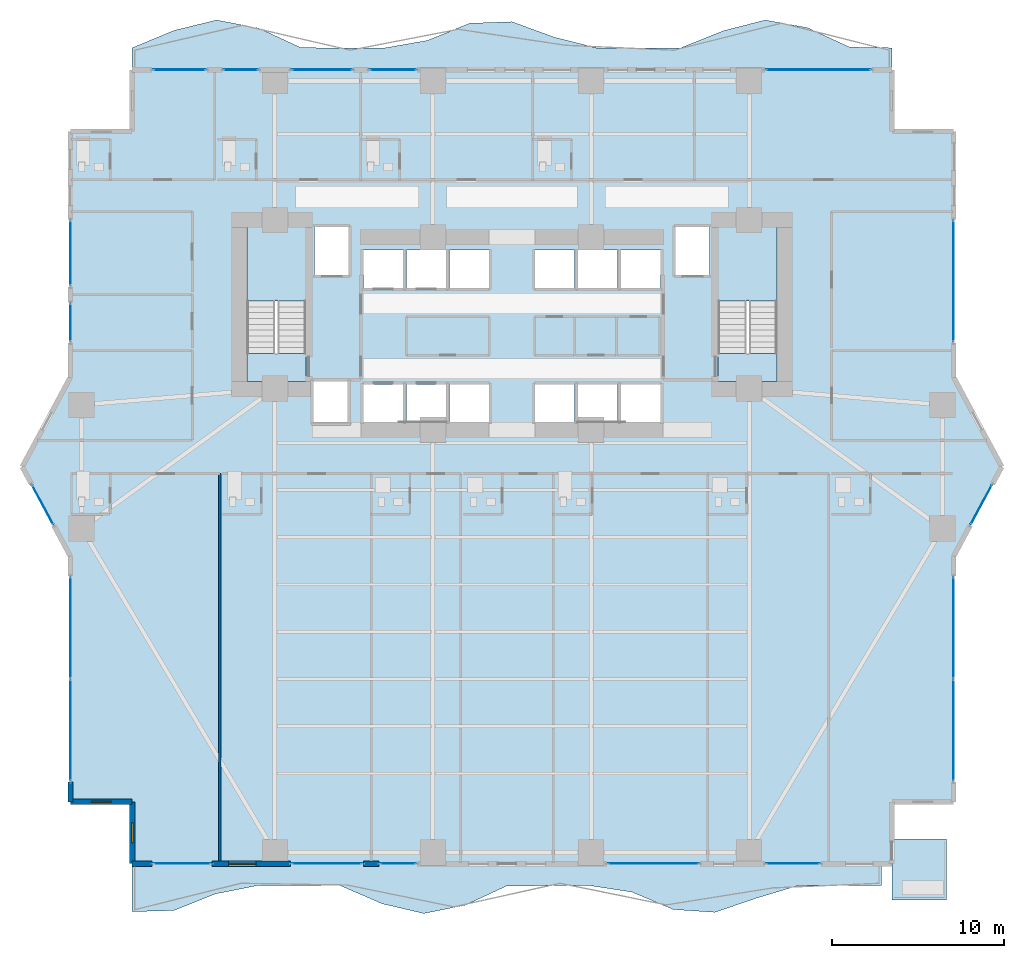
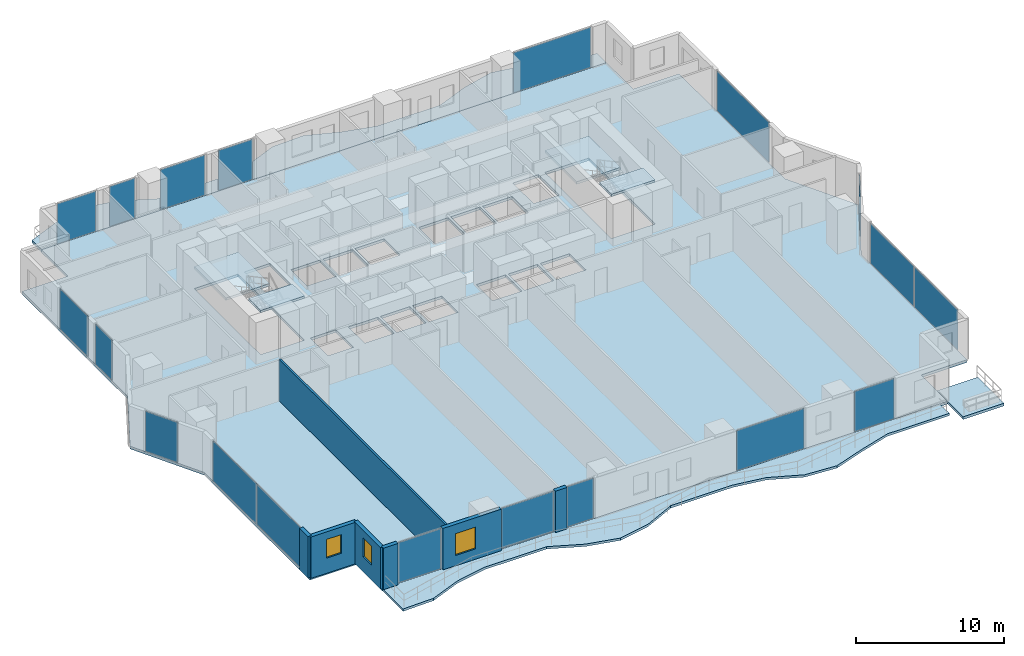
# One storey, part 17 of 29: 19 plates, 8 slabs, 7 walls, 3 windows, 3 openings, 19 elements without a shape of their own.
"""IFC4 building model written with IfcOpenShell, lengths in metres."""

from ifc_helpers import new_model, si_unit, direction, frame, frame_2d, origin, origin_2d, place, context, subcontext, project, spatial, polyline, rectangle, outline, extrude, material, layer, layer_set, type_object, element, fill, aggregate, save


model = new_model("IFC4")

# Units and contexts
model_context = context("Model", 3, precision=1e-05, world=origin(), true_north=direction((0.0, 1.0)))
body_context = subcontext(model_context, "Body", "Model", "MODEL_VIEW")
ifc_project = project(units=[si_unit("LENGTHUNIT", "METRE"), si_unit("AREAUNIT", "SQUARE_METRE"), si_unit("VOLUMEUNIT", "CUBIC_METRE"), si_unit("PLANEANGLEUNIT", "RADIAN"), si_unit("MASSUNIT", "GRAM", prefix="KILO")], contexts=[model_context])

# Site, building, storey
site_placement = place(None, origin())
site = spatial("IfcSite", under=ifc_project, at=site_placement, CompositionType="ELEMENT")
building_placement = place(site_placement, origin())
building = spatial("IfcBuilding", under=site, at=building_placement, Name="Zuhayl Quay Hotel", CompositionType="ELEMENT")
storey_placement = place(building_placement, frame((0.0, 0.0, 38.550048828125)))
storey = spatial("IfcBuildingStorey", under=building, at=storey_placement, Name="L08", CompositionType="ELEMENT", Elevation=38.550048828125)

# Curtain wall, plates
ifc_material_1 = material(Name="Anodised Aluminium 6063-T6", Category="aluminium")
ifc_layer_1 = layer(ifc_material_1, 0.18994140625, Name="Anodised Aluminium 6063-T6", Category="aluminium")
ifc_layer_set_1 = layer_set([ifc_layer_1], Name="Anodised Aluminium 6063-T6")
curtain_wall_type = type_object("IfcCurtainWallType", Name="CW_SYS_Z1", PredefinedType="USERDEFINED", material=ifc_layer_set_1)
curtain_wall_1_placement = place(storey_placement, origin())
curtain_wall_1 = element("IfcCurtainWall", 1, at=curtain_wall_1_placement, inside=storey, type_object=curtain_wall_type, Name="L08 Curtain Wall ENV_L08_E02_CW1", ObjectType="UNITISED CURTAIN WALL", PredefinedType="USERDEFINED")
ifc_material_2 = material(Name="Dark Ceramic-Fritted Solar Glass", Category="glass")
ifc_layer_2 = layer(ifc_material_2, 0.035888671875, Name="Dark Ceramic-Fritted Solar Glass", Category="glass")
ifc_layer_set_2 = layer_set([ifc_layer_2], Name="Dark Ceramic-Fritted Solar Glass")
plate_type = type_object("IfcPlateType", Name="PN_DARK_FRIT_Z1", PredefinedType="CURTAIN_PANEL", material=ifc_layer_set_2)
plate_1_placement = place(storey_placement, frame((-25.699951171875, -15.331298828125, 0.059814453125), z_axis=(0.0, 0.0, 1.0), x_axis=(0.0, 1.0, 0.0)))
plate_1 = element("IfcPlate", 2, at=plate_1_placement, type_object=plate_type, Name="CW-Z1 panel 1.1", PredefinedType="CURTAIN_PANEL", context=body_context, shape_type="SweptSolid", body=[
    extrude(rectangle(XDim=5.887451171875, YDim=0.035888671875, at=origin_2d()), origin(), (0.0, 0.0, 1.0), 3.31005859375),
])
plate_2_placement = place(storey_placement, frame((-25.699951171875, -9.36865234375, 0.059814453125), z_axis=(0.0, 0.0, 1.0), x_axis=(0.0, 1.0, 0.0)))
plate_2 = element("IfcPlate", 3, at=plate_2_placement, type_object=plate_type, Name="CW-Z1 panel 2.1", PredefinedType="CURTAIN_PANEL", context=body_context, shape_type="SweptSolid", body=[
    extrude(rectangle(XDim=5.887451171875, YDim=0.035888671875, at=origin_2d()), origin(), (0.0, 0.0, 1.0), 3.31005859375),
])
aggregate(curtain_wall_1, [plate_1, plate_2])

# Curtain wall, plate
curtain_wall_2_placement = place(storey_placement, origin())
curtain_wall_2 = element("IfcCurtainWall", 4, at=curtain_wall_2_placement, inside=storey, type_object=curtain_wall_type, Name="L08 Curtain Wall ENV_L08_E03_CW1", ObjectType="UNITISED CURTAIN WALL", PredefinedType="USERDEFINED")
plate_3_placement = place(storey_placement, frame((-27.306396484375, -2.216796875, 0.059814453125), z_axis=(0.0, 0.0, 1.0), x_axis=(-0.474091102632, 0.880475795468, 0.0)))
plate_3 = element("IfcPlate", 5, at=plate_3_placement, type_object=plate_type, Name="CW-Z1 panel 1.1", PredefinedType="CURTAIN_PANEL", context=body_context, shape_type="SweptSolid", body=[
    extrude(rectangle(XDim=2.58544921875, YDim=0.035888671875, at=origin_2d()), origin(), (0.0, 0.0, 1.0), 3.31005859375),
])
aggregate(curtain_wall_2, [plate_3])

curtain_wall_3_placement = place(storey_placement, origin())
curtain_wall_3 = element("IfcCurtainWall", 6, at=curtain_wall_3_placement, inside=storey, type_object=curtain_wall_type, Name="L08 Curtain Wall ENV_L08_E05_CW1", ObjectType="UNITISED CURTAIN WALL", PredefinedType="USERDEFINED")
plate_4_placement = place(storey_placement, frame((-25.699951171875, 8.385009765625, 0.059814453125), z_axis=(0.0, 0.0, 1.0), x_axis=(0.0, 1.0, 0.0)))
plate_4 = element("IfcPlate", 7, at=plate_4_placement, type_object=plate_type, Name="CW-Z1 panel 1.1", PredefinedType="CURTAIN_PANEL", context=body_context, shape_type="SweptSolid", body=[
    extrude(rectangle(XDim=2.219970703125, YDim=0.035888671875, at=origin_2d()), origin(), (0.0, 0.0, 1.0), 3.31005859375),
])
aggregate(curtain_wall_3, [plate_4])

curtain_wall_4_placement = place(storey_placement, origin())
curtain_wall_4 = element("IfcCurtainWall", 8, at=curtain_wall_4_placement, inside=storey, type_object=curtain_wall_type, Name="L08 Curtain Wall ENV_L08_E05_CW2", ObjectType="UNITISED CURTAIN WALL", PredefinedType="USERDEFINED")
plate_5_placement = place(storey_placement, frame((-25.699951171875, 12.43505859375, 0.059814453125), z_axis=(0.0, 0.0, 1.0), x_axis=(0.0, 1.0, 0.0)))
plate_5 = element("IfcPlate", 9, at=plate_5_placement, type_object=plate_type, Name="CW-Z1 panel 1.1", PredefinedType="CURTAIN_PANEL", context=body_context, shape_type="SweptSolid", body=[
    extrude(rectangle(XDim=3.780029296875, YDim=0.035888671875, at=origin_2d()), origin(), (0.0, 0.0, 1.0), 3.31005859375),
])
aggregate(curtain_wall_4, [plate_5])

curtain_wall_5_placement = place(storey_placement, origin())
curtain_wall_5 = element("IfcCurtainWall", 10, at=curtain_wall_5_placement, inside=storey, type_object=curtain_wall_type, Name="L08 Curtain Wall ENV_L08_N_CW1", ObjectType="UNITISED CURTAIN WALL", PredefinedType="USERDEFINED")
plate_6_placement = place(storey_placement, frame((-19.35009765625, 23.10009765625, 0.059814453125), z_axis=(0.0, 0.0, 1.0), x_axis=(1.0, 0.0, 0.0)))
plate_6 = element("IfcPlate", 11, at=plate_6_placement, type_object=plate_type, Name="CW-Z1 panel 1.1", PredefinedType="CURTAIN_PANEL", context=body_context, shape_type="SweptSolid", body=[
    extrude(rectangle(XDim=3.050048828125, YDim=0.035888671875, at=origin_2d()), origin(), (0.0, 0.0, 1.0), 3.31005859375),
])
aggregate(curtain_wall_5, [plate_6])

curtain_wall_6_placement = place(storey_placement, origin())
curtain_wall_6 = element("IfcCurtainWall", 12, at=curtain_wall_6_placement, inside=storey, type_object=curtain_wall_type, Name="L08 Curtain Wall ENV_L08_N_CW2", ObjectType="UNITISED CURTAIN WALL", PredefinedType="USERDEFINED")
plate_7_placement = place(storey_placement, frame((-15.784912109375, 23.10009765625, 0.059814453125), z_axis=(0.0, 0.0, 1.0), x_axis=(1.0, 0.0, 0.0)))
plate_7 = element("IfcPlate", 13, at=plate_7_placement, type_object=plate_type, Name="CW-Z1 panel 1.1", PredefinedType="CURTAIN_PANEL", context=body_context, shape_type="SweptSolid", body=[
    extrude(rectangle(XDim=1.97998046875, YDim=0.035888671875, at=origin_2d()), origin(), (0.0, 0.0, 1.0), 3.31005859375),
])
aggregate(curtain_wall_6, [plate_7])

curtain_wall_7_placement = place(storey_placement, origin())
curtain_wall_7 = element("IfcCurtainWall", 14, at=curtain_wall_7_placement, inside=storey, type_object=curtain_wall_type, Name="L08 Curtain Wall ENV_L08_N_CW3", ObjectType="UNITISED CURTAIN WALL", PredefinedType="USERDEFINED")
plate_8_placement = place(storey_placement, frame((-11.06494140625, 23.10009765625, 0.059814453125), z_axis=(0.0, 0.0, 1.0), x_axis=(1.0, 0.0, 0.0)))
plate_8 = element("IfcPlate", 15, at=plate_8_placement, type_object=plate_type, Name="CW-Z1 panel 1.1", PredefinedType="CURTAIN_PANEL", context=body_context, shape_type="SweptSolid", body=[
    extrude(rectangle(XDim=3.47998046875, YDim=0.035888671875, at=origin_2d()), origin(), (0.0, 0.0, 1.0), 3.31005859375),
])
aggregate(curtain_wall_7, [plate_8])

curtain_wall_8_placement = place(storey_placement, origin())
curtain_wall_8 = element("IfcCurtainWall", 16, at=curtain_wall_8_placement, inside=storey, type_object=curtain_wall_type, Name="L08 Curtain Wall ENV_L08_N_CW4", ObjectType="UNITISED CURTAIN WALL", PredefinedType="USERDEFINED")
plate_9_placement = place(storey_placement, frame((-6.93505859375, 23.10009765625, 0.059814453125), z_axis=(0.0, 0.0, 1.0), x_axis=(1.0, 0.0, 0.0)))
plate_9 = element("IfcPlate", 17, at=plate_9_placement, type_object=plate_type, Name="CW-Z1 panel 1.1", PredefinedType="CURTAIN_PANEL", context=body_context, shape_type="SweptSolid", body=[
    extrude(rectangle(XDim=2.679931640625, YDim=0.035888671875, at=origin_2d()), origin(), (0.0, 0.0, 1.0), 3.31005859375),
])
aggregate(curtain_wall_8, [plate_9])

curtain_wall_9_placement = place(storey_placement, origin())
curtain_wall_9 = element("IfcCurtainWall", 18, at=curtain_wall_9_placement, inside=storey, type_object=curtain_wall_type, Name="L08 Curtain Wall ENV_L08_N_CW5", ObjectType="UNITISED CURTAIN WALL", PredefinedType="USERDEFINED")
plate_10_placement = place(storey_placement, frame((17.8349609375, 23.10009765625, 0.059814453125), z_axis=(0.0, 0.0, 1.0), x_axis=(1.0, 0.0, 0.0)))
plate_10 = element("IfcPlate", 19, at=plate_10_placement, type_object=plate_type, Name="CW-Z1 panel 1.1", PredefinedType="CURTAIN_PANEL", context=body_context, shape_type="SweptSolid", body=[
    extrude(rectangle(XDim=6.080078125, YDim=0.035888671875, at=origin_2d()), origin(), (0.0, 0.0, 1.0), 3.31005859375),
])
aggregate(curtain_wall_9, [plate_10])

curtain_wall_10_placement = place(storey_placement, origin())
curtain_wall_10 = element("IfcCurtainWall", 20, at=curtain_wall_10_placement, inside=storey, type_object=curtain_wall_type, Name="L08 Curtain Wall ENV_L08_E11_CW1", ObjectType="UNITISED CURTAIN WALL", PredefinedType="USERDEFINED")
plate_11_placement = place(storey_placement, frame((25.699951171875, 10.800048828125, 0.059814453125), z_axis=(0.0, 0.0, 1.0), x_axis=(0.0, -1.0, 0.0)))
plate_11 = element("IfcPlate", 21, at=plate_11_placement, type_object=plate_type, Name="CW-Z1 panel 1.1", PredefinedType="CURTAIN_PANEL", context=body_context, shape_type="SweptSolid", body=[
    extrude(rectangle(XDim=7.050048828125, YDim=0.035888671875, at=origin_2d()), origin(), (0.0, 0.0, 1.0), 3.31005859375),
])
aggregate(curtain_wall_10, [plate_11])

curtain_wall_11_placement = place(storey_placement, origin())
curtain_wall_11 = element("IfcCurtainWall", 22, at=curtain_wall_11_placement, inside=storey, type_object=curtain_wall_type, Name="L08 Curtain Wall ENV_L08_E13_CW1", ObjectType="UNITISED CURTAIN WALL", PredefinedType="USERDEFINED")
plate_12_placement = place(storey_placement, frame((27.306396484375, -2.216796875, 0.059814453125), z_axis=(0.0, 0.0, 1.0), x_axis=(-0.474091102632, -0.880475795468, 0.0)))
plate_12 = element("IfcPlate", 23, at=plate_12_placement, type_object=plate_type, Name="CW-Z1 panel 1.1", PredefinedType="CURTAIN_PANEL", context=body_context, shape_type="SweptSolid", body=[
    extrude(rectangle(XDim=2.58544921875, YDim=0.035888671875, at=origin_2d()), origin(), (0.0, 0.0, 1.0), 3.31005859375),
])
aggregate(curtain_wall_11, [plate_12])

# Curtain wall, plates
curtain_wall_12_placement = place(storey_placement, origin())
curtain_wall_12 = element("IfcCurtainWall", 24, at=curtain_wall_12_placement, inside=storey, type_object=curtain_wall_type, Name="L08 Curtain Wall ENV_L08_E14_CW1", ObjectType="UNITISED CURTAIN WALL", PredefinedType="USERDEFINED")
plate_13_placement = place(storey_placement, frame((25.699951171875, -9.36865234375, 0.059814453125), z_axis=(0.0, 0.0, 1.0), x_axis=(0.0, -1.0, 0.0)))
plate_13 = element("IfcPlate", 25, at=plate_13_placement, type_object=plate_type, Name="CW-Z1 panel 1.1", PredefinedType="CURTAIN_PANEL", context=body_context, shape_type="SweptSolid", body=[
    extrude(rectangle(XDim=5.887451171875, YDim=0.035888671875, at=origin_2d()), origin(), (0.0, 0.0, 1.0), 3.31005859375),
])
plate_14_placement = place(storey_placement, frame((25.699951171875, -15.331298828125, 0.059814453125), z_axis=(0.0, 0.0, 1.0), x_axis=(0.0, -1.0, 0.0)))
plate_14 = element("IfcPlate", 26, at=plate_14_placement, type_object=plate_type, Name="CW-Z1 panel 2.1", PredefinedType="CURTAIN_PANEL", context=body_context, shape_type="SweptSolid", body=[
    extrude(rectangle(XDim=5.887451171875, YDim=0.035888671875, at=origin_2d()), origin(), (0.0, 0.0, 1.0), 3.31005859375),
])
aggregate(curtain_wall_12, [plate_13, plate_14])

# Curtain wall, plate
curtain_wall_13_placement = place(storey_placement, origin())
curtain_wall_13 = element("IfcCurtainWall", 27, at=curtain_wall_13_placement, inside=storey, type_object=curtain_wall_type, Name="L08 Curtain Wall ENV_L08_S_CW1", ObjectType="UNITISED CURTAIN WALL", PredefinedType="USERDEFINED")
plate_15_placement = place(storey_placement, frame((16.35498046875, -23.10009765625, 0.059814453125), z_axis=(0.0, 0.0, 1.0), x_axis=(-1.0, 0.0, 0.0)))
plate_15 = element("IfcPlate", 28, at=plate_15_placement, type_object=plate_type, Name="CW-Z1 panel 1.1", PredefinedType="CURTAIN_PANEL", context=body_context, shape_type="SweptSolid", body=[
    extrude(rectangle(XDim=3.1201171875, YDim=0.035888671875, at=origin_2d()), origin(), (0.0, 0.0, 1.0), 3.31005859375),
])
aggregate(curtain_wall_13, [plate_15])

curtain_wall_14_placement = place(storey_placement, origin())
curtain_wall_14 = element("IfcCurtainWall", 29, at=curtain_wall_14_placement, inside=storey, type_object=curtain_wall_type, Name="L08 Curtain Wall ENV_L08_S_CW2", ObjectType="UNITISED CURTAIN WALL", PredefinedType="USERDEFINED")
plate_16_placement = place(storey_placement, frame((8.235107421875, -23.10009765625, 0.059814453125), z_axis=(0.0, 0.0, 1.0), x_axis=(-1.0, 0.0, 0.0)))
plate_16 = element("IfcPlate", 30, at=plate_16_placement, type_object=plate_type, Name="CW-Z1 panel 1.1", PredefinedType="CURTAIN_PANEL", context=body_context, shape_type="SweptSolid", body=[
    extrude(rectangle(XDim=5.280029296875, YDim=0.035888671875, at=origin_2d()), origin(), (0.0, 0.0, 1.0), 3.31005859375),
])
aggregate(curtain_wall_14, [plate_16])

curtain_wall_15_placement = place(storey_placement, origin())
curtain_wall_15 = element("IfcCurtainWall", 31, at=curtain_wall_15_placement, inside=storey, type_object=curtain_wall_type, Name="L08 Curtain Wall ENV_L08_S_CW3", ObjectType="UNITISED CURTAIN WALL", PredefinedType="USERDEFINED")
plate_17_placement = place(storey_placement, frame((-6.635009765625, -23.10009765625, 0.059814453125), z_axis=(0.0, 0.0, 1.0), x_axis=(-1.0, 0.0, 0.0)))
plate_17 = element("IfcPlate", 32, at=plate_17_placement, type_object=plate_type, Name="CW-Z1 panel 1.1", PredefinedType="CURTAIN_PANEL", context=body_context, shape_type="SweptSolid", body=[
    extrude(rectangle(XDim=2.080078125, YDim=0.035888671875, at=origin_2d()), origin(), (0.0, 0.0, 1.0), 3.31005859375),
])
aggregate(curtain_wall_15, [plate_17])

curtain_wall_16_placement = place(storey_placement, origin())
curtain_wall_16 = element("IfcCurtainWall", 33, at=curtain_wall_16_placement, inside=storey, type_object=curtain_wall_type, Name="L08 Curtain Wall ENV_L08_S_CW4", ObjectType="UNITISED CURTAIN WALL", PredefinedType="USERDEFINED")
plate_18_placement = place(storey_placement, frame((-10.764892578125, -23.10009765625, 0.059814453125), z_axis=(0.0, 0.0, 1.0), x_axis=(-1.0, 0.0, 0.0)))
plate_18 = element("IfcPlate", 34, at=plate_18_placement, type_object=plate_type, Name="CW-Z1 panel 1.1", PredefinedType="CURTAIN_PANEL", context=body_context, shape_type="SweptSolid", body=[
    extrude(rectangle(XDim=4.080078125, YDim=0.035888671875, at=origin_2d()), origin(), (0.0, 0.0, 1.0), 3.31005859375),
])
aggregate(curtain_wall_16, [plate_18])

curtain_wall_17_placement = place(storey_placement, origin())
curtain_wall_17 = element("IfcCurtainWall", 35, at=curtain_wall_17_placement, inside=storey, type_object=curtain_wall_type, Name="L08 Curtain Wall ENV_L08_S_CW5", ObjectType="UNITISED CURTAIN WALL", PredefinedType="USERDEFINED")
plate_19_placement = place(storey_placement, frame((-19.199951171875, -23.10009765625, 0.059814453125), z_axis=(0.0, 0.0, 1.0), x_axis=(-1.0, 0.0, 0.0)))
plate_19 = element("IfcPlate", 36, at=plate_19_placement, type_object=plate_type, Name="CW-Z1 panel 1.1", PredefinedType="CURTAIN_PANEL", context=body_context, shape_type="SweptSolid", body=[
    extrude(rectangle(XDim=3.35009765625, YDim=0.035888671875, at=origin_2d()), origin(), (0.0, 0.0, 1.0), 3.31005859375),
])
aggregate(curtain_wall_17, [plate_19])

# Slabs
ifc_material_3 = material(Name="Concrete C45/55", Category="concrete")
ifc_layer_3 = layer(ifc_material_3, 0.195068359375, Name="Concrete C45/55", Category="concrete")
ifc_layer_set_3 = layer_set([ifc_layer_3], Name="Concrete C45/55")
slab_type_1 = type_object("IfcSlabType", Name="SL_BALCONY_195", PredefinedType="FLOOR", material=ifc_layer_set_3)
slab_1_placement = place(storey_placement, frame((0.0, 0.0, -0.195068359375)))
element("IfcSlab", 37, at=slab_1_placement, inside=storey, type_object=slab_type_1, Name="L08 Exterior Rippling Balcony Slab North", PredefinedType="FLOOR", context=body_context, shape_type="SweptSolid", body=[
    extrude(outline(polyline([(-22.10009765625, 23.10009765625), (22.10009765625, 23.10009765625), (22.10009765625, 24.3798828125), (19.644287109375, 24.421142578125), (17.18896484375, 25.553466796875), (14.7333984375, 25.994873046875), (12.27783203125, 25.365478515625), (9.822265625, 24.3798828125), (7.36669921875, 24.3798828125), (4.9111328125, 24.3798828125), (2.45556640625, 24.999267578125), (0.0, 25.8984375), (-2.45556640625, 25.81005859375), (-4.9111328125, 24.81005859375), (-7.36669921875, 24.3798828125), (-9.822265625, 24.3798828125), (-12.27783203125, 24.384521484375), (-14.7333984375, 25.52392578125), (-17.18896484375, 25.997802734375), (-19.644287109375, 25.3984375), (-22.10009765625, 24.3798828125), (-22.10009765625, 23.10009765625)])), origin(), (0.0, 0.0, 1.0), 0.195068359375),
])
slab_2_placement = place(storey_placement, frame((0.0, 0.0, -0.195068359375)))
element("IfcSlab", 38, at=slab_2_placement, inside=storey, type_object=slab_type_1, Name="L08 Exterior Rippling Balcony Slab South", PredefinedType="FLOOR", context=body_context, shape_type="SweptSolid", body=[
    extrude(outline(polyline([(-22.10009765625, -25.891845703125), (-19.677734375, -25.826904296875), (-17.255615234375, -24.85888671875), (-14.833251953125, -24.3798828125), (-12.4111328125, -24.3798828125), (-9.989013671875, -24.3798828125), (-7.566650390625, -25.430908203125), (-5.144287109375, -25.998779296875), (-2.72216796875, -25.51953125), (-0.300048828125, -24.39501953125), (2.122314453125, -24.3798828125), (4.54443359375, -24.3798828125), (6.966796875, -24.75), (9.388916015625, -25.767578125), (11.81103515625, -25.931884765625), (14.2333984375, -25.10498046875), (16.655517578125, -24.3798828125), (19.077880859375, -24.3798828125), (21.5, -24.3798828125), (21.5, -23.10009765625), (-22.10009765625, -23.10009765625), (-22.10009765625, -25.891845703125)])), origin(), (0.0, 0.0, 1.0), 0.195068359375),
])
ifc_layer_4 = layer(ifc_material_3, 0.219970703125, Name="Concrete C45/55", Category="concrete")
ifc_layer_set_4 = layer_set([ifc_layer_4], Name="Concrete C45/55")
slab_type_2 = type_object("IfcSlabType", Name="SL_FLOOR_220", PredefinedType="FLOOR", material=ifc_layer_set_4)
slab_3_placement = place(storey_placement, frame((0.0, 0.0, -0.219970703125)))
element("IfcSlab", 39, at=slab_3_placement, inside=storey, type_object=slab_type_2, Name="L08 Structural Floor Slab", PredefinedType="FLOOR", context=body_context, shape_type="SweptSolid", body=[
    extrude(outline(polyline([(-22.10009765625, -23.10009765625), (22.10009765625, -23.10009765625), (22.10009765625, -19.5), (25.699951171875, -19.5), (25.699951171875, -5.199951171875), (28.5, 0.0), (25.699951171875, 5.199951171875), (25.699951171875, 19.5), (22.10009765625, 19.5), (22.10009765625, 23.10009765625), (-22.10009765625, 23.10009765625), (-22.10009765625, 19.5), (-25.699951171875, 19.5), (-25.699951171875, 5.199951171875), (-28.5, 0.0), (-25.699951171875, -5.199951171875), (-25.699951171875, -19.5), (-22.10009765625, -19.5), (-22.10009765625, -23.10009765625)]), holes=[polyline([(-12.0, 4.949951171875), (-12.0, 13.949951171875), (-15.429931640625, 13.949951171875), (-15.429931640625, 4.949951171875), (-12.0, 4.949951171875)]), polyline([(15.429931640625, 4.949951171875), (15.429931640625, 13.949951171875), (12.0, 13.949951171875), (12.0, 4.949951171875), (15.429931640625, 4.949951171875)]), polyline([(-11.5, 11.14990234375), (-9.5, 11.14990234375), (-9.5, 13.949951171875), (-11.5, 13.949951171875), (-11.5, 11.14990234375)]), polyline([(9.5, 11.14990234375), (11.5, 11.14990234375), (11.5, 13.949951171875), (9.5, 13.949951171875), (9.5, 11.14990234375)]), polyline([(-8.64990234375, 2.60009765625), (-6.35009765625, 2.60009765625), (-6.35009765625, 4.800048828125), (-8.64990234375, 4.800048828125), (-8.64990234375, 2.60009765625)]), polyline([(-6.14990234375, 2.60009765625), (-3.85009765625, 2.60009765625), (-3.85009765625, 4.800048828125), (-6.14990234375, 4.800048828125), (-6.14990234375, 2.60009765625)]), polyline([(-8.64990234375, 10.39990234375), (-6.35009765625, 10.39990234375), (-6.35009765625, 12.60009765625), (-8.64990234375, 12.60009765625), (-8.64990234375, 10.39990234375)]), polyline([(-6.14990234375, 10.39990234375), (-3.85009765625, 10.39990234375), (-3.85009765625, 12.60009765625), (-6.14990234375, 12.60009765625), (-6.14990234375, 10.39990234375)]), polyline([(-3.64990234375, 2.60009765625), (-1.35009765625, 2.60009765625), (-1.35009765625, 4.800048828125), (-3.64990234375, 4.800048828125), (-3.64990234375, 2.60009765625)]), polyline([(1.35009765625, 2.60009765625), (3.64990234375, 2.60009765625), (3.64990234375, 4.800048828125), (1.35009765625, 4.800048828125), (1.35009765625, 2.60009765625)]), polyline([(-3.64990234375, 10.39990234375), (-1.35009765625, 10.39990234375), (-1.35009765625, 12.60009765625), (-3.64990234375, 12.60009765625), (-3.64990234375, 10.39990234375)]), polyline([(1.35009765625, 10.39990234375), (3.64990234375, 10.39990234375), (3.64990234375, 12.60009765625), (1.35009765625, 12.60009765625), (1.35009765625, 10.39990234375)]), polyline([(3.85009765625, 2.60009765625), (6.14990234375, 2.60009765625), (6.14990234375, 4.800048828125), (3.85009765625, 4.800048828125), (3.85009765625, 2.60009765625)]), polyline([(6.35009765625, 2.60009765625), (8.64990234375, 2.60009765625), (8.64990234375, 4.800048828125), (6.35009765625, 4.800048828125), (6.35009765625, 2.60009765625)]), polyline([(3.85009765625, 10.39990234375), (6.14990234375, 10.39990234375), (6.14990234375, 12.60009765625), (3.85009765625, 12.60009765625), (3.85009765625, 10.39990234375)]), polyline([(6.35009765625, 10.39990234375), (8.64990234375, 10.39990234375), (8.64990234375, 12.60009765625), (6.35009765625, 12.60009765625), (6.35009765625, 10.39990234375)]), polyline([(-11.550048828125, 2.550048828125), (-9.550048828125, 2.550048828125), (-9.550048828125, 4.949951171875), (-11.550048828125, 4.949951171875), (-11.550048828125, 2.550048828125)])]), origin(), (0.0, 0.0, 1.0), 0.219970703125),
])

# Stair, slabs
stair_type = type_object("IfcStairType", Name="ST_DOGLEG_TOWER", PredefinedType="HALF_TURN_STAIR", material=ifc_material_3)
stair_1_placement = place(storey_placement, origin())
stair_1 = element("IfcStair", 40, at=stair_1_placement, inside=storey, type_object=stair_type, Name="L08 Smokeproof Exit Stair ST1", PredefinedType="HALF_TURN_STAIR")
ifc_layer_5 = layer(ifc_material_3, 0.199951171875, Name="Concrete C45/55", Category="concrete")
ifc_layer_set_5 = layer_set([ifc_layer_5], Name="Concrete C45/55")
slab_type_3 = type_object("IfcSlabType", Name="SL_STAIR_LANDING_200", PredefinedType="LANDING", material=ifc_layer_set_5)
slab_4_placement = place(storey_placement, frame((0.0, 0.0, 1.625)))
slab_4 = element("IfcSlab", 41, at=slab_4_placement, type_object=slab_type_3, Name="ST1 landing 1", PredefinedType="LANDING", context=body_context, shape_type="SweptSolid", body=[
    extrude(outline(polyline([(-12.0, 9.64990234375), (-12.0, 13.949951171875), (-15.429931640625, 13.949951171875), (-15.429931640625, 9.64990234375), (-12.0, 9.64990234375)])), origin(), (0.0, 0.0, 1.0), 0.199951171875),
])
slab_5_placement = place(storey_placement, frame((0.0, 0.0, 3.449951171875)))
slab_5 = element("IfcSlab", 42, at=slab_5_placement, type_object=slab_type_3, Name="ST1 landing 2", PredefinedType="LANDING", context=body_context, shape_type="SweptSolid", body=[
    extrude(outline(polyline([(-12.0, 4.949951171875), (-12.0, 6.590087890625), (-15.429931640625, 6.590087890625), (-15.429931640625, 4.949951171875), (-12.0, 4.949951171875)])), origin(), (0.0, 0.0, 1.0), 0.199951171875),
])
aggregate(stair_1, [slab_4, slab_5])

stair_2_placement = place(storey_placement, origin())
stair_2 = element("IfcStair", 43, at=stair_2_placement, inside=storey, type_object=stair_type, Name="L08 Smokeproof Exit Stair ST2", PredefinedType="HALF_TURN_STAIR")
slab_6_placement = place(storey_placement, frame((0.0, 0.0, 1.625)))
slab_6 = element("IfcSlab", 44, at=slab_6_placement, type_object=slab_type_3, Name="ST2 landing 1", PredefinedType="LANDING", context=body_context, shape_type="SweptSolid", body=[
    extrude(outline(polyline([(15.429931640625, 9.64990234375), (15.429931640625, 13.949951171875), (12.0, 13.949951171875), (12.0, 9.64990234375), (15.429931640625, 9.64990234375)])), origin(), (0.0, 0.0, 1.0), 0.199951171875),
])
slab_7_placement = place(storey_placement, frame((0.0, 0.0, 3.449951171875)))
slab_7 = element("IfcSlab", 45, at=slab_7_placement, type_object=slab_type_3, Name="ST2 landing 2", PredefinedType="LANDING", context=body_context, shape_type="SweptSolid", body=[
    extrude(outline(polyline([(15.429931640625, 4.949951171875), (15.429931640625, 6.590087890625), (12.0, 6.590087890625), (12.0, 4.949951171875), (15.429931640625, 4.949951171875)])), origin(), (0.0, 0.0, 1.0), 0.199951171875),
])
aggregate(stair_2, [slab_6, slab_7])

# Slab
ifc_layer_6 = layer(ifc_material_3, 0.219970703125, Name="Concrete C45/55", Category="concrete")
ifc_layer_set_6 = layer_set([ifc_layer_6], Name="Concrete C45/55")
slab_type_4 = type_object("IfcSlabType", Name="SL_TERRACE_235", PredefinedType="FLOOR", material=ifc_layer_set_6)
slab_8_placement = place(storey_placement, frame((0.0, 0.0, -0.219970703125)))
element("IfcSlab", 46, at=slab_8_placement, inside=storey, type_object=slab_type_4, Name="L08 Exterior Sky-Terrace Slab L08_SPIRAL_SE", PredefinedType="FLOOR", context=body_context, shape_type="SweptSolid", body=[
    extrude(outline(polyline([(22.10009765625, -25.199951171875), (25.300048828125, -25.199951171875), (25.300048828125, -21.64990234375), (22.10009765625, -21.64990234375), (22.10009765625, -25.199951171875)])), origin(), (0.0, 0.0, 1.0), 0.219970703125),
])

# Wall, opening, window
ifc_material_4 = material(Name="Precast concrete C45/55", Category="concrete")
ifc_layer_7 = layer(ifc_material_4, 0.300048828125, Name="Precast concrete C45/55", Category="concrete")
ifc_layer_set_7 = layer_set([ifc_layer_7], Name="Precast concrete C45/55")
wall_type_1 = type_object("IfcWallType", Name="WL_EXT_300", PredefinedType="STANDARD", material=ifc_layer_set_7)
wall_1_placement = place(storey_placement, frame((-22.10009765625, -19.5, 0.0), z_axis=(0.0, 0.0, 1.0), x_axis=(-1.0, 0.0, 0.0)))
wall_1 = element("IfcWall", 47, at=wall_1_placement, inside=storey, type_object=wall_type_1, Name="L08 Exterior Precast Wall ENV_L08_EW01", PredefinedType="STANDARD", context=body_context, shape_type="SweptSolid", body=[
    extrude(rectangle(XDim=3.599853515625, YDim=0.300048828125, at=frame_2d((1.7998046875, 0.0))), origin(), (0.0, 0.0, 1.0), 3.429931640625),
])
opening_1_placement = place(wall_1_placement, frame((1.22509765625, 0.0, 1.25)))
opening_1 = element("IfcOpeningElement", 48, at=opening_1_placement, cuts=wall_1, Name="Opening W01N", PredefinedType="OPENING", context=body_context, shape_type="SweptSolid", body=[
    extrude(rectangle(XDim=1.14990234375, YDim=1.550048828125, at=frame_2d((0.574951171875, 0.77490234375))), frame((0.0, 0.159912109375, 0.0), z_axis=(0.0, -1.0, 0.0), x_axis=(1.0, 0.0, 0.0)), (0.0, 0.0, 1.0), 0.320068359375),
])
window_type_1 = type_object("IfcWindowType", Name="WN_NOTCH_1350", PartitioningType="SINGLE_PANEL", PredefinedType="WINDOW", material=ifc_material_2)
window_1_placement = place(opening_1_placement, origin())
window_1 = element("IfcWindow", 49, at=window_1_placement, inside=storey, type_object=window_type_1, Name="L08 Corner Notch Window 1", OverallHeight=1.550048828125, OverallWidth=1.14990234375, PartitioningType="SINGLE_PANEL", PredefinedType="WINDOW", context=body_context, shape_type="SweptSolid", body=[
    extrude(rectangle(XDim=1.14990234375, YDim=1.550048828125, at=frame_2d((0.574951171875, 0.77490234375))), frame((0.0, 0.030029296875, 0.0), z_axis=(0.0, -1.0, 0.0), x_axis=(1.0, 0.0, 0.0)), (0.0, 0.0, 1.0), 0.06005859375),
])
fill(opening_1, window_1)

# Walls
wall_2_placement = place(storey_placement, frame((-25.699951171875, -19.5, 0.0), z_axis=(0.0, 0.0, 1.0), x_axis=(0.0, 1.0, 0.0)))
element("IfcWall", 50, at=wall_2_placement, inside=storey, type_object=wall_type_1, Name="L08 Exterior Precast Wall ENV_L08_E02_EW1", PredefinedType="STANDARD", context=body_context, shape_type="SweptSolid", body=[
    extrude(rectangle(XDim=1.14990234375, YDim=0.300048828125, at=frame_2d((0.574951171875, 0.0))), origin(), (0.0, 0.0, 1.0), 3.429931640625),
])
wall_3_placement = place(storey_placement, frame((-7.75, -23.10009765625, 0.0), z_axis=(0.0, 0.0, 1.0), x_axis=(-1.0, 0.0, 0.0)))
element("IfcWall", 51, at=wall_3_placement, inside=storey, type_object=wall_type_1, Name="L08 Exterior Precast Wall ENV_L08_S_EW4", PredefinedType="STANDARD", context=body_context, shape_type="SweptSolid", body=[
    extrude(rectangle(XDim=0.89990234375, YDim=0.300048828125, at=frame_2d((0.449951171875, 0.0))), origin(), (0.0, 0.0, 1.0), 3.429931640625),
])

# Wall, opening, window
wall_4_placement = place(storey_placement, frame((-12.8798828125, -23.10009765625, 0.0), z_axis=(0.0, 0.0, 1.0), x_axis=(-1.0, 0.0, 0.0)))
wall_4 = element("IfcWall", 52, at=wall_4_placement, inside=storey, type_object=wall_type_1, Name="L08 Exterior Precast Wall ENV_L08_S_EW5", PredefinedType="STANDARD", context=body_context, shape_type="SweptSolid", body=[
    extrude(rectangle(XDim=4.570068359375, YDim=0.300048828125, at=frame_2d((2.28515625, 0.0))), origin(), (0.0, 0.0, 1.0), 3.429931640625),
])
opening_2_placement = place(wall_4_placement, frame((2.010009765625, 0.0, 0.85009765625)))
opening_2 = element("IfcOpeningElement", 53, at=opening_2_placement, cuts=wall_4, Name="Opening W01", PredefinedType="OPENING", context=body_context, shape_type="SweptSolid", body=[
    extrude(rectangle(XDim=1.60009765625, YDim=1.800048828125, at=frame_2d((0.800048828125, 0.89990234375))), frame((0.0, 0.159912109375, 0.0), z_axis=(0.0, -1.0, 0.0), x_axis=(1.0, 0.0, 0.0)), (0.0, 0.0, 1.0), 0.320068359375),
])
window_type_2 = type_object("IfcWindowType", Name="WN_OPERABLE_1600", PartitioningType="DOUBLE_PANEL_VERTICAL", PredefinedType="WINDOW", material=ifc_material_2)
window_2_placement = place(opening_2_placement, origin())
window_2 = element("IfcWindow", 54, at=window_2_placement, inside=storey, type_object=window_type_2, Name="L08 Operable Facade Window 5-1", OverallHeight=1.800048828125, OverallWidth=1.60009765625, PartitioningType="SINGLE_PANEL", PredefinedType="WINDOW", context=body_context, shape_type="SweptSolid", body=[
    extrude(rectangle(XDim=1.60009765625, YDim=1.800048828125, at=frame_2d((0.800048828125, 0.89990234375))), frame((0.0, 0.030029296875, 0.0), z_axis=(0.0, -1.0, 0.0), x_axis=(1.0, 0.0, 0.0)), (0.0, 0.0, 1.0), 0.06005859375),
])
fill(opening_2, window_2)

# Wall
wall_5_placement = place(storey_placement, frame((-20.949951171875, -23.10009765625, 0.0), z_axis=(0.0, 0.0, 1.0), x_axis=(-1.0, 0.0, 0.0)))
element("IfcWall", 55, at=wall_5_placement, inside=storey, type_object=wall_type_1, Name="L08 Exterior Precast Wall ENV_L08_S_EW6", PredefinedType="STANDARD", context=body_context, shape_type="SweptSolid", body=[
    extrude(rectangle(XDim=1.150146484375, YDim=0.300048828125, at=frame_2d((0.5751953125, 0.0))), origin(), (0.0, 0.0, 1.0), 3.429931640625),
])

# Wall, opening, window
wall_6_placement = place(storey_placement, frame((-22.10009765625, -23.10009765625, 0.0), z_axis=(0.0, 0.0, 1.0), x_axis=(0.0, 1.0, 0.0)))
wall_6 = element("IfcWall", 56, at=wall_6_placement, inside=storey, type_object=wall_type_1, Name="L08 Exterior Precast Wall ENV_L08_EW18", PredefinedType="STANDARD", context=body_context, shape_type="SweptSolid", body=[
    extrude(rectangle(XDim=3.60009765625, YDim=0.300048828125, at=frame_2d((1.800048828125, 0.0))), origin(), (0.0, 0.0, 1.0), 3.429931640625),
])
opening_3_placement = place(wall_6_placement, frame((1.22509765625, 0.0, 1.25)))
opening_3 = element("IfcOpeningElement", 57, at=opening_3_placement, cuts=wall_6, Name="Opening W01N", PredefinedType="OPENING", context=body_context, shape_type="SweptSolid", body=[
    extrude(rectangle(XDim=1.14990234375, YDim=1.550048828125, at=frame_2d((0.574951171875, 0.77490234375))), frame((0.0, 0.159912109375, 0.0), z_axis=(0.0, -1.0, 0.0), x_axis=(1.0, 0.0, 0.0)), (0.0, 0.0, 1.0), 0.320068359375),
])
window_3_placement = place(opening_3_placement, origin())
window_3 = element("IfcWindow", 58, at=window_3_placement, inside=storey, type_object=window_type_1, Name="L08 Corner Notch Window 18", OverallHeight=1.550048828125, OverallWidth=1.14990234375, PartitioningType="SINGLE_PANEL", PredefinedType="WINDOW", context=body_context, shape_type="SweptSolid", body=[
    extrude(rectangle(XDim=1.14990234375, YDim=1.550048828125, at=frame_2d((0.574951171875, 0.77490234375))), frame((0.0, 0.030029296875, 0.0), z_axis=(0.0, -1.0, 0.0), x_axis=(1.0, 0.0, 0.0)), (0.0, 0.0, 1.0), 0.06005859375),
])
fill(opening_3, window_3)

# Wall
ifc_material_5 = material(Name="Acoustic Gypsum Partition STC-58")
ifc_layer_8 = layer(ifc_material_5, 0.14990234375, Name="Acoustic Gypsum Partition STC-58")
ifc_layer_set_8 = layer_set([ifc_layer_8], Name="Acoustic Gypsum Partition STC-58")
wall_type_2 = type_object("IfcWallType", Name="WL_PART_150", PredefinedType="PARTITIONING", material=ifc_layer_set_8)
wall_7_placement = place(storey_placement, frame((-17.0, -23.02001953125, 0.0), z_axis=(0.0, 0.0, 1.0), x_axis=(0.0, 1.0, 0.0)))
element("IfcWall", 59, at=wall_7_placement, inside=storey, type_object=wall_type_2, Name="L08 Partition IW_L08_SU01A_E", PredefinedType="PARTITIONING", context=body_context, shape_type="SweptSolid", body=[
    extrude(rectangle(XDim=22.6201171875, YDim=0.14990234375, at=frame_2d((11.31005859375, 0.0))), origin(), (0.0, 0.0, 1.0), 3.429931640625),
])

save(model, "model.ifc")
